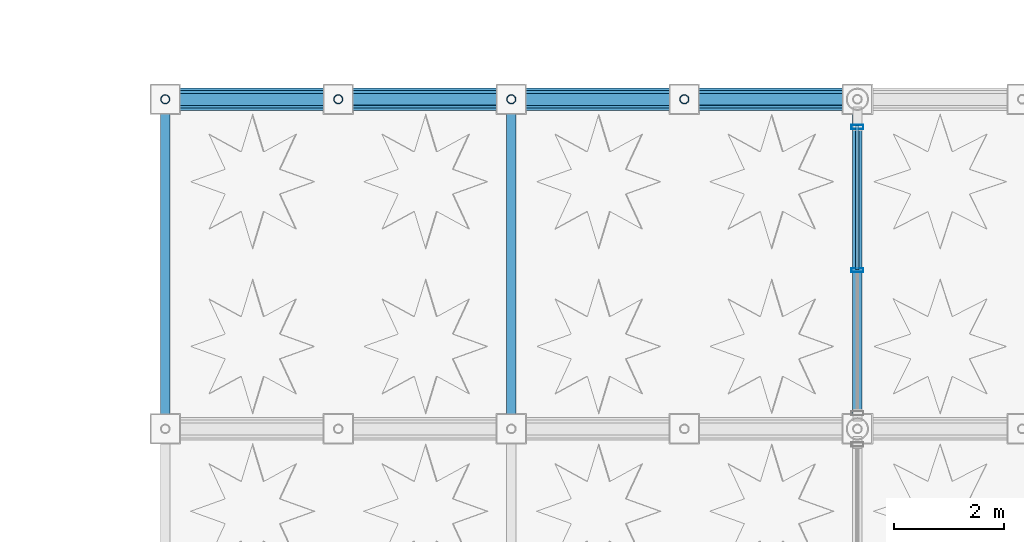
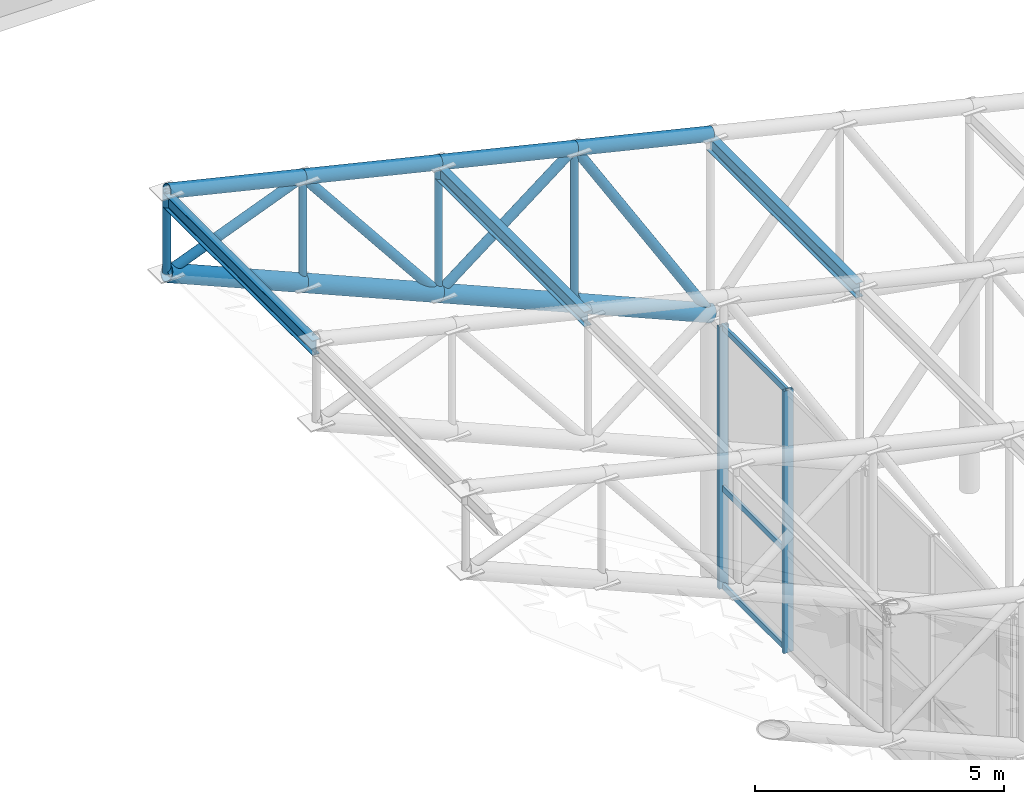
# One storey, part 43 of 112: 21 members, 3 beams, 1 element without a shape of its own.
"""IFC4 building model written with IfcOpenShell, lengths in metres."""

from ifc_helpers import new_model, si_unit, direction, frame, origin, origin_2d, place, context, subcontext, project, spatial, hollow_rectangle, hollow_circle, i_section, extrude, material, material_profile, profile_set, type_object, element, aggregate, save


model = new_model("IFC4")

# Units and contexts
model_context = context("Model", 3, precision=1e-05, world=origin(), true_north=direction((0.0, 1.0)))
body_context = subcontext(model_context, "Body", "Model", "MODEL_VIEW")
ifc_project = project(units=[si_unit("LENGTHUNIT", "METRE"), si_unit("AREAUNIT", "SQUARE_METRE"), si_unit("VOLUMEUNIT", "CUBIC_METRE"), si_unit("PLANEANGLEUNIT", "RADIAN"), si_unit("MASSUNIT", "GRAM", prefix="KILO"), si_unit("THERMODYNAMICTEMPERATUREUNIT", "KELVIN"), si_unit("POWERUNIT", "WATT")], contexts=[model_context])

# Site, building, storey
site_placement = place(None, origin())
site = spatial("IfcSite", under=ifc_project, at=site_placement, CompositionType="ELEMENT")
building_placement = place(site_placement, origin())
building = spatial("IfcBuilding", under=site, at=building_placement, Name="Phaisarnlok Congress Hotel", CompositionType="ELEMENT")
storey_placement = place(building_placement, frame((0.0, 0.0, 19.800048828125)))
storey = spatial("IfcBuildingStorey", under=building, at=storey_placement, Name="L04", CompositionType="ELEMENT", Elevation=19.800048828125)

# Curtain wall, members
ifc_material_1 = material(Name="Thermally Broken Unitised Aluminium & Low-E Glazing", Category="aluminium")
curtain_wall_type = type_object("IfcCurtainWallType", Name="CW-UNIT-42", PredefinedType="NOTDEFINED", material=ifc_material_1)
curtain_wall_placement = place(storey_placement, origin())
curtain_wall = element("IfcCurtainWall", 1, at=curtain_wall_placement, inside=storey, type_object=curtain_wall_type, Name="Unitised curtain wall CW-42 (L04)", PredefinedType="NOTDEFINED")
ifc_material_2 = material(Name="Anodised Aluminium Alloy 6063-T6", Category="aluminium")
ifc_material_profile_1 = material_profile(ifc_material_2, hollow_rectangle(XDim=0.074951171875, YDim=0.219970703125, WallThickness=0.0048828125, at=origin_2d()), Name="ALU-M 75x220x5")
ifc_profile_set_1 = profile_set([ifc_material_profile_1], Name="Anodised Aluminium Alloy 6063-T6")
member_type_1 = type_object("IfcMemberType", Name="CWM-220", PredefinedType="MULLION", material=ifc_profile_set_1)
member_1_placement = place(storey_placement, frame((120.0, 83.4951171875, -0.010009765625), z_axis=(0.0, 0.0, 1.0), x_axis=(0.0, -1.0, 0.0)))
member_1 = element("IfcMember", 2, at=member_1_placement, type_object=member_type_1, Name="Curtain wall mullion CWM-02", PredefinedType="MULLION", context=body_context, shape_type="SweptSolid", body=[
    extrude(hollow_rectangle(XDim=0.074951171875, YDim=0.219970703125, WallThickness=0.0048828125, at=origin_2d()), origin(), (0.0, 0.0, 1.0), 6.429931640625),
])
member_2_placement = place(storey_placement, frame((120.0, 80.889892578125, -0.010009765625), z_axis=(0.0, 0.0, 1.0), x_axis=(0.0, -1.0, 0.0)))
member_2 = element("IfcMember", 3, at=member_2_placement, type_object=member_type_1, Name="Curtain wall mullion CWM-02", PredefinedType="MULLION", context=body_context, shape_type="SweptSolid", body=[
    extrude(hollow_rectangle(XDim=0.074951171875, YDim=0.219970703125, WallThickness=0.0048828125, at=origin_2d()), origin(), (0.0, 0.0, 1.0), 6.429931640625),
])
ifc_material_profile_2 = material_profile(ifc_material_2, hollow_rectangle(XDim=0.06494140625, YDim=0.139892578125, WallThickness=0.00390625, at=origin_2d()), Name="ALU-T 65x140x4")
ifc_profile_set_2 = profile_set([ifc_material_profile_2], Name="Anodised Aluminium Alloy 6063-T6")
member_type_2 = type_object("IfcMemberType", Name="CWT-150", PredefinedType="USERDEFINED", material=ifc_profile_set_2)
member_3_placement = place(storey_placement, frame((120.0, 83.52001953125, 0.0400390625), z_axis=(0.0, -1.0, 0.0), x_axis=(1.0, 0.0, 0.0)))
member_3 = element("IfcMember", 4, at=member_3_placement, type_object=member_type_2, Name="Curtain wall transom CWT-01", ObjectType="TRANSOM", PredefinedType="USERDEFINED", context=body_context, shape_type="SweptSolid", body=[
    extrude(hollow_rectangle(XDim=0.06494140625, YDim=0.139892578125, WallThickness=0.00390625, at=origin_2d()), origin(), (0.0, 0.0, 1.0), 2.614990234375),
])
member_4_placement = place(storey_placement, frame((120.0, 83.52001953125, 2.433349609375), z_axis=(0.0, -1.0, 0.0), x_axis=(1.0, 0.0, 0.0)))
member_4 = element("IfcMember", 5, at=member_4_placement, type_object=member_type_2, Name="Curtain wall transom CWT-01", ObjectType="TRANSOM", PredefinedType="USERDEFINED", context=body_context, shape_type="SweptSolid", body=[
    extrude(hollow_rectangle(XDim=0.06494140625, YDim=0.139892578125, WallThickness=0.00390625, at=origin_2d()), origin(), (0.0, 0.0, 1.0), 2.614990234375),
])
member_5_placement = place(storey_placement, frame((120.0, 83.52001953125, 6.369873046875), z_axis=(0.0, -1.0, 0.0), x_axis=(1.0, 0.0, 0.0)))
member_5 = element("IfcMember", 6, at=member_5_placement, type_object=member_type_2, Name="Curtain wall transom CWT-01", ObjectType="TRANSOM", PredefinedType="USERDEFINED", context=body_context, shape_type="SweptSolid", body=[
    extrude(hollow_rectangle(XDim=0.06494140625, YDim=0.139892578125, WallThickness=0.00390625, at=origin_2d()), origin(), (0.0, 0.0, 1.0), 2.614990234375),
])
aggregate(curtain_wall, [member_1, member_2, member_3, member_4, member_5])

# Beams
ifc_material_3 = material(Name="Steel S355", Category="steel")
ifc_material_profile_3 = material_profile(ifc_material_3, i_section(OverallWidth=0.169921875, OverallDepth=0.360107421875, WebThickness=0.008056640625, FlangeThickness=0.0126953125, FilletRadius=0.01806640625, at=origin_2d()), Name="IPE 360")
ifc_profile_set_3 = profile_set([ifc_material_profile_3], Name="Steel S355")
beam_type_1 = type_object("IfcBeamType", Name="JS-STL-IPE360", PredefinedType="JOIST", material=ifc_profile_set_3)
beam_placement = place(storey_placement, frame((120.0, 78.0, 10.6005859375), z_axis=(0.0, 1.0, 0.0), x_axis=(-1.0, 0.0, 0.0)))
element("IfcBeam", 7, at=beam_placement, inside=storey, type_object=beam_type_1, Name="Cloister wing roof purlin", PredefinedType="JOIST", context=body_context, shape_type="SweptSolid", body=[
    extrude(i_section(OverallWidth=0.169921875, OverallDepth=0.360107421875, WebThickness=0.008056640625, FlangeThickness=0.0126953125, FilletRadius=0.01806640625, at=origin_2d()), origin(), (0.0, 0.0, 1.0), 6.0),
])
ifc_material_profile_4 = material_profile(ifc_material_3, i_section(OverallWidth=0.169921875, OverallDepth=0.360107421875, WebThickness=0.008056640625, FlangeThickness=0.0126953125, FilletRadius=0.01806640625, at=origin_2d()), Name="IPE 360")
ifc_profile_set_4 = profile_set([ifc_material_profile_4], Name="Steel S355")
beam_type_2 = type_object("IfcBeamType", Name="JS-STL-IPE360-EXT", PredefinedType="JOIST", material=ifc_profile_set_4)
for number, where, z_axis, x_axis, name in (
    (8, (113.699951171875, 78.0, 12.104248046875), (0.0, 1.0, 0.0), (-1.0, 0.0, 0.0), "Cloister wing roof purlin"),
    (9, (107.39990234375, 78.0, 13.60791015625), (0.0, 1.0, 0.0), (-1.0, 0.0, 0.0), "Cloister wing roof purlin"),
):
    element("IfcBeam", number, at=place(storey_placement, frame(where, z_axis=z_axis, x_axis=x_axis)), inside=storey, type_object=beam_type_2, Name=name, PredefinedType="JOIST", context=body_context, shape_type="SweptSolid", body=[
        extrude(i_section(OverallWidth=0.169921875, OverallDepth=0.360107421875, WebThickness=0.008056640625, FlangeThickness=0.0126953125, FilletRadius=0.01806640625, at=origin_2d()), origin(), (0.0, 0.0, 1.0), 6.0),
    ])

# Members
ifc_material_profile_5 = material_profile(ifc_material_3, hollow_circle(Radius=0.084228515625, WallThickness=0.010009765625, at=origin_2d()), Name="CHS 168.3x10")
ifc_profile_set_5 = profile_set([ifc_material_profile_5], Name="Steel S355")
member_type_3 = type_object("IfcMemberType", Name="MEM-BRC-CHS168-EXT", PredefinedType="BRACE", material=ifc_profile_set_5)
member_6_placement = place(storey_placement, frame((116.85009765625, 84.0, 7.75), z_axis=(0.0, 0.0, 1.0), x_axis=(1.0, 0.0, 0.0)))
element("IfcMember", 10, at=member_6_placement, inside=storey, type_object=member_type_3, Name="Cloister wing roof truss vertical web", PredefinedType="BRACE", context=body_context, shape_type="SweptSolid", body=[
    extrude(hollow_circle(Radius=0.084228515625, WallThickness=0.010009765625, at=origin_2d()), origin(), (0.0, 0.0, 1.0), 3.79443359375),
])
member_7_placement = place(storey_placement, frame((113.699951171875, 84.0, 9.099853515625), z_axis=(0.0, 0.0, 1.0), x_axis=(1.0, 0.0, 0.0)))
element("IfcMember", 11, at=member_7_placement, inside=storey, type_object=member_type_3, Name="Cloister wing roof truss vertical web", PredefinedType="BRACE", context=body_context, shape_type="SweptSolid", body=[
    extrude(hollow_circle(Radius=0.084228515625, WallThickness=0.010009765625, at=origin_2d()), origin(), (0.0, 0.0, 1.0), 3.1962890625),
])
member_8_placement = place(storey_placement, frame((110.550048828125, 84.0, 10.449951171875), z_axis=(0.0, 0.0, 1.0), x_axis=(1.0, 0.0, 0.0)))
element("IfcMember", 12, at=member_8_placement, inside=storey, type_object=member_type_3, Name="Cloister wing roof truss vertical web", PredefinedType="BRACE", context=body_context, shape_type="SweptSolid", body=[
    extrude(hollow_circle(Radius=0.084228515625, WallThickness=0.010009765625, at=origin_2d()), origin(), (0.0, 0.0, 1.0), 2.59814453125),
])
member_9_placement = place(storey_placement, frame((107.39990234375, 84.0, 11.800048828125), z_axis=(0.0, 0.0, 1.0), x_axis=(1.0, 0.0, 0.0)))
element("IfcMember", 13, at=member_9_placement, inside=storey, type_object=member_type_3, Name="Cloister wing roof truss vertical web", PredefinedType="BRACE", context=body_context, shape_type="SweptSolid", body=[
    extrude(hollow_circle(Radius=0.084228515625, WallThickness=0.010009765625, at=origin_2d()), origin(), (0.0, 0.0, 1.0), 2.0),
])
ifc_material_profile_6 = material_profile(ifc_material_3, hollow_circle(Radius=0.109619140625, WallThickness=0.012451171875, at=origin_2d()), Name="CHS 219.1x12.5")
ifc_profile_set_6 = profile_set([ifc_material_profile_6], Name="Steel S355")
member_type_4 = type_object("IfcMemberType", Name="MEM-BRC-CHS219-EXT", PredefinedType="BRACE", material=ifc_profile_set_6)
member_10_placement = place(storey_placement, frame((120.0, 84.0, 6.39990234375), z_axis=(-0.522176688857, 0.0, 0.852837326584), x_axis=(0.0, -1.0, 0.0)))
element("IfcMember", 14, at=member_10_placement, inside=storey, type_object=member_type_4, Name="Cloister wing roof truss diagonal brace", PredefinedType="BRACE", context=body_context, shape_type="SweptSolid", body=[
    extrude(hollow_circle(Radius=0.109619140625, WallThickness=0.012451171875, at=origin_2d()), origin(), (0.0, 0.0, 1.0), 6.0322265625),
])
member_11_placement = place(storey_placement, frame((113.699951171875, 84.0, 9.099853515625), z_axis=(0.790024309268, 0.0, 0.613075517996), x_axis=(0.0, 1.0, 0.0)))
element("IfcMember", 15, at=member_11_placement, inside=storey, type_object=member_type_4, Name="Cloister wing roof truss diagonal brace", PredefinedType="BRACE", context=body_context, shape_type="SweptSolid", body=[
    extrude(hollow_circle(Radius=0.109619140625, WallThickness=0.012451171875, at=origin_2d()), origin(), (0.0, 0.0, 1.0), 3.9873046875),
])
member_12_placement = place(storey_placement, frame((113.699951171875, 84.0, 9.099853515625), z_axis=(-0.623645214912, 0.0, 0.78170751942), x_axis=(0.0, -1.0, 0.0)))
element("IfcMember", 16, at=member_12_placement, inside=storey, type_object=member_type_4, Name="Cloister wing roof truss diagonal brace", PredefinedType="BRACE", context=body_context, shape_type="SweptSolid", body=[
    extrude(hollow_circle(Radius=0.109619140625, WallThickness=0.012451171875, at=origin_2d()), origin(), (0.0, 0.0, 1.0), 5.05078125),
])
member_13_placement = place(storey_placement, frame((107.39990234375, 84.0, 11.800048828125), z_axis=(0.929694070323, 0.0, 0.368332642602), x_axis=(0.0, 1.0, 0.0)))
element("IfcMember", 17, at=member_13_placement, inside=storey, type_object=member_type_4, Name="Cloister wing roof truss diagonal brace", PredefinedType="BRACE", context=body_context, shape_type="SweptSolid", body=[
    extrude(hollow_circle(Radius=0.109619140625, WallThickness=0.012451171875, at=origin_2d()), origin(), (0.0, 0.0, 1.0), 3.388427734375),
])
ifc_material_profile_7 = material_profile(ifc_material_3, hollow_circle(Radius=0.161865234375, WallThickness=0.01611328125, at=origin_2d()), Name="CHS 323.9x16")
ifc_profile_set_7 = profile_set([ifc_material_profile_7], Name="Steel S355")
member_type_5 = type_object("IfcMemberType", Name="MEM-CHD-CHS324-EXT", PredefinedType="CHORD", material=ifc_profile_set_7)
for number, where, z_axis, x_axis, name in (
    (18, (120.0, 84.0, 10.79248046875), (-0.972668531165, 0.0, 0.232198037203), (0.0, -1.0, 0.0), "Cloister wing roof truss top chord"),
    (19, (116.85009765625, 84.0, 11.54443359375), (-0.972689617372, 0.0, 0.232109690141), (0.0, -1.0, 0.0), "Cloister wing roof truss top chord"),
    (20, (113.699951171875, 84.0, 12.296142578125), (-0.972668531165, 0.0, 0.232198037203), (0.0, -1.0, 0.0), "Cloister wing roof truss top chord"),
):
    element("IfcMember", number, at=place(storey_placement, frame(where, z_axis=z_axis, x_axis=x_axis)), inside=storey, type_object=member_type_5, Name=name, PredefinedType="CHORD", context=body_context, shape_type="SweptSolid", body=[
        extrude(hollow_circle(Radius=0.161865234375, WallThickness=0.01611328125, at=origin_2d()), origin(), (0.0, 0.0, 1.0), 3.238525390625),
    ])
member_14_placement = place(storey_placement, frame((110.550048828125, 84.0, 13.048095703125), z_axis=(-0.972672595385, 0.0, 0.232181011686), x_axis=(0.0, -1.0, 0.0)))
element("IfcMember", 21, at=member_14_placement, inside=storey, type_object=member_type_5, Name="Cloister wing roof truss top chord", PredefinedType="CHORD", context=body_context, shape_type="SweptSolid", body=[
    extrude(hollow_circle(Radius=0.161865234375, WallThickness=0.01611328125, at=origin_2d()), origin(), (0.0, 0.0, 1.0), 3.23876953125),
])
ifc_material_profile_8 = material_profile(ifc_material_3, hollow_circle(Radius=0.203125, WallThickness=0.02001953125, at=origin_2d()), Name="CHS 406.4x20")
ifc_profile_set_8 = profile_set([ifc_material_profile_8], Name="Steel S355")
member_type_6 = type_object("IfcMemberType", Name="MEM-CHD-CHS406-EXT", PredefinedType="CHORD", material=ifc_profile_set_8)
member_15_placement = place(storey_placement, frame((120.0, 84.0, 6.39990234375), z_axis=(-0.919130290196, 0.0, 0.393953689721), x_axis=(0.0, -1.0, 0.0)))
element("IfcMember", 22, at=member_15_placement, inside=storey, type_object=member_type_6, Name="Cloister wing roof truss bottom chord", PredefinedType="CHORD", context=body_context, shape_type="SweptSolid", body=[
    extrude(hollow_circle(Radius=0.203125, WallThickness=0.02001953125, at=origin_2d()), origin(), (0.0, 0.0, 1.0), 3.427001953125),
])
member_16_placement = place(storey_placement, frame((116.85009765625, 84.0, 7.75), z_axis=(-0.919167136512, 0.0, 0.393867712762), x_axis=(0.0, -1.0, 0.0)))
element("IfcMember", 23, at=member_16_placement, inside=storey, type_object=member_type_6, Name="Cloister wing roof truss bottom chord", PredefinedType="CHORD", context=body_context, shape_type="SweptSolid", body=[
    extrude(hollow_circle(Radius=0.203125, WallThickness=0.02001953125, at=origin_2d()), origin(), (0.0, 0.0, 1.0), 3.42724609375),
])
member_17_placement = place(storey_placement, frame((113.699951171875, 84.0, 9.099853515625), z_axis=(-0.919130290196, 0.0, 0.393953689721), x_axis=(0.0, -1.0, 0.0)))
element("IfcMember", 24, at=member_17_placement, inside=storey, type_object=member_type_6, Name="Cloister wing roof truss bottom chord", PredefinedType="CHORD", context=body_context, shape_type="SweptSolid", body=[
    extrude(hollow_circle(Radius=0.203125, WallThickness=0.02001953125, at=origin_2d()), origin(), (0.0, 0.0, 1.0), 3.427001953125),
])
member_18_placement = place(storey_placement, frame((110.550048828125, 84.0, 10.449951171875), z_axis=(-0.919141345424, 0.0, 0.393927895853), x_axis=(0.0, -1.0, 0.0)))
element("IfcMember", 25, at=member_18_placement, inside=storey, type_object=member_type_6, Name="Cloister wing roof truss bottom chord", PredefinedType="CHORD", context=body_context, shape_type="SweptSolid", body=[
    extrude(hollow_circle(Radius=0.203125, WallThickness=0.02001953125, at=origin_2d()), origin(), (0.0, 0.0, 1.0), 3.42724609375),
])

save(model, "model.ifc")
